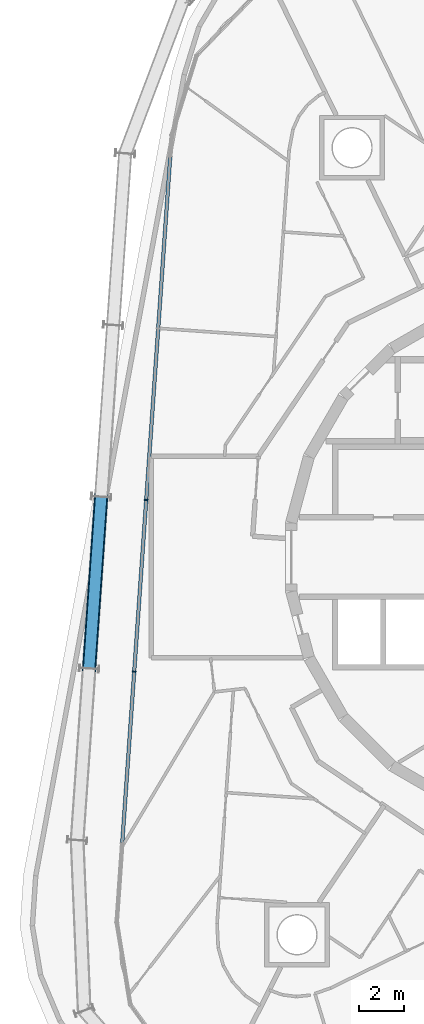
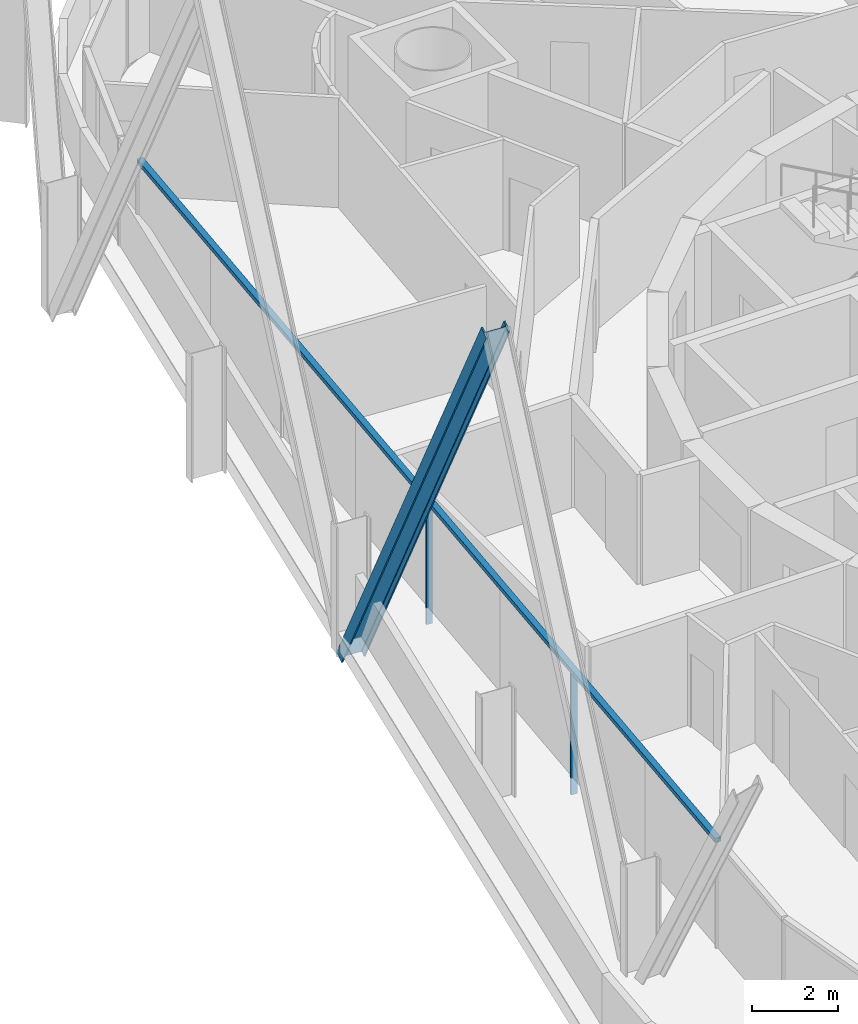
# One storey, part 4 of 18: 4 members, 1 element without a shape of its own.
"""IFC4 building model written with IfcOpenShell, lengths in metres."""

from ifc_helpers import new_model, si_unit, direction, frame, origin, origin_2d, place, context, subcontext, project, spatial, rectangle, i_section, extrude, material, layer, layer_set, material_profile, profile_set, type_object, element, aggregate, save


model = new_model("IFC4")

# Units and contexts
model_context = context("Model", 3, precision=1e-05, world=origin(), true_north=direction((0.0, 1.0)))
body_context = subcontext(model_context, "Body", "Model", "MODEL_VIEW")
ifc_project = project(units=[si_unit("LENGTHUNIT", "METRE"), si_unit("AREAUNIT", "SQUARE_METRE"), si_unit("VOLUMEUNIT", "CUBIC_METRE"), si_unit("PLANEANGLEUNIT", "RADIAN"), si_unit("MASSUNIT", "GRAM", prefix="KILO")], contexts=[model_context])

# Site, building, storey
site_placement = place(None, origin())
site = spatial("IfcSite", under=ifc_project, at=site_placement, CompositionType="ELEMENT")
building_placement = place(site_placement, origin())
building = spatial("IfcBuilding", under=site, at=building_placement, Name="Spindle Arch Residences", CompositionType="ELEMENT")
storey_placement = place(building_placement, frame((0.0, 0.0, 188.39990234375)))
storey = spatial("IfcBuildingStorey", under=building, at=storey_placement, Name="L47", CompositionType="ELEMENT", Elevation=188.39990234375)

# Curtain wall, members
ifc_material_1 = material(Name="Aluminium bronze unitised frame with tinted glass", Category="aluminium")
ifc_layer = layer(ifc_material_1, 0.159912109375)
ifc_layer_set = layer_set([ifc_layer], Name="CW-C typical residential unitised wall")
curtain_wall_type = type_object("IfcCurtainWallType", Name="CW-C typical residential unitised wall", PredefinedType="NOTDEFINED", material=ifc_layer_set)
curtain_wall_placement = place(storey_placement, origin())
curtain_wall = element("IfcCurtainWall", 1, at=curtain_wall_placement, inside=storey, type_object=curtain_wall_type, Name="CW-C L47 run 4", PredefinedType="NOTDEFINED")
ifc_material_2 = material(Name="Aluminium bronze anodised mullion", Category="aluminium")
ifc_material_profile_1 = material_profile(ifc_material_2, rectangle(XDim=0.159912109375, YDim=0.06005859375, at=origin_2d()), Name="MU 60x160")
ifc_profile_set_1 = profile_set([ifc_material_profile_1], Name="Aluminium bronze anodised mullion")
member_type_1 = type_object("IfcMemberType", Name="Bronze mullion 60x160", PredefinedType="MULLION", material=ifc_profile_set_1)
member_1_placement = place(storey_placement, frame((-18.126708984375, 2.552978515625, -0.449951171875), z_axis=(0.0, 0.0, 1.0), x_axis=(0.99756405026, -0.069756473744, 0.0)))
member_1 = element("IfcMember", 2, at=member_1_placement, type_object=member_type_1, Name="CW-C mullion 14", PredefinedType="MULLION", context=body_context, shape_type="SweptSolid", body=[
    extrude(rectangle(XDim=0.159912109375, YDim=0.06005859375, at=origin_2d()), origin(), (0.0, 0.0, 1.0), 3.449951171875),
])
member_2_placement = place(storey_placement, frame((-18.66357421875, -5.1220703125, -0.449951171875), z_axis=(0.0, 0.0, 1.0), x_axis=(0.99756405026, -0.069756473744, 0.0)))
member_2 = element("IfcMember", 3, at=member_2_placement, type_object=member_type_1, Name="CW-C mullion 15", PredefinedType="MULLION", context=body_context, shape_type="SweptSolid", body=[
    extrude(rectangle(XDim=0.159912109375, YDim=0.06005859375, at=origin_2d()), origin(), (0.0, 0.0, 1.0), 3.449951171875),
])
ifc_material_3 = material(Name="Aluminium bronze anodised transom", Category="aluminium")
ifc_material_profile_2 = material_profile(ifc_material_3, rectangle(XDim=0.159912109375, YDim=0.1201171875, at=origin_2d()), Name="TR 120x160")
ifc_profile_set_2 = profile_set([ifc_material_profile_2], Name="Aluminium bronze anodised transom")
member_type_2 = type_object("IfcMemberType", Name="Bronze transom 120x160", PredefinedType="USERDEFINED", material=ifc_profile_set_2)
member_3_placement = place(storey_placement, frame((-17.0556640625, 17.873046875, 3.06005859375), z_axis=(-0.069748921728, -0.997564578319, 0.0), x_axis=(0.997564578319, -0.069748921728, 0.0)))
member_3 = element("IfcMember", 4, at=member_3_placement, type_object=member_type_2, Name="CW-C transom 00", ObjectType="TRANSOM", PredefinedType="USERDEFINED", context=body_context, shape_type="SweptSolid", body=[
    extrude(rectangle(XDim=0.159912109375, YDim=0.1201171875, at=origin_2d()), origin(), (0.0, 0.0, 1.0), 30.71484375),
])
aggregate(curtain_wall, [member_3, member_1, member_2])

# Member
ifc_material_4 = material(Name="Steel S460ML, intumescent coating R 240", Category="steel")
ifc_material_profile_3 = material_profile(ifc_material_4, i_section(OverallWidth=0.304931640625, OverallDepth=0.6201171875, WebThickness=0.02099609375, FlangeThickness=0.0400390625, FilletRadius=0.027099609375, at=origin_2d()), Name="HEM 600")
ifc_profile_set_3 = profile_set([ifc_material_profile_3], Name="Steel S460ML, intumescent coating R 240")
member_type_3 = type_object("IfcMemberType", Name="Diagrid diagonal HEM 600", PredefinedType="BRACE", material=ifc_profile_set_3)
member_4_placement = place(storey_placement, frame((-20.141845703125, 2.69384765625, -0.699951171875), z_axis=(-0.033478220984, -0.478606108721, 0.877391247628), x_axis=(0.061223413299, 0.875252589301, 0.479775571059)))
element("IfcMember", 5, at=member_4_placement, inside=storey, type_object=member_type_3, Name="Diagrid diagonal 5.1.15", PredefinedType="BRACE", context=body_context, shape_type="SweptSolid", body=[
    extrude(i_section(OverallWidth=0.304931640625, OverallDepth=0.6201171875, WebThickness=0.02099609375, FlangeThickness=0.0400390625, FilletRadius=0.027099609375, at=origin_2d()), origin(), (0.0, 0.0, 1.0), 16.0361328125),
])

save(model, "model.ifc")
